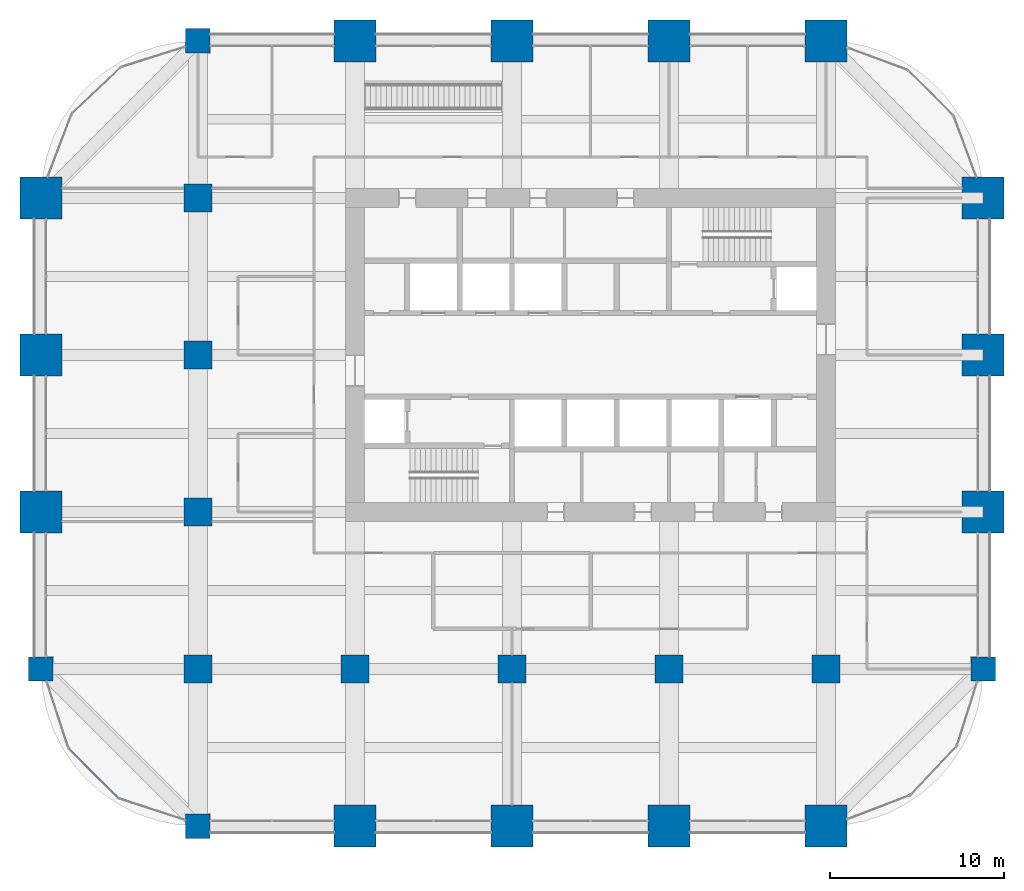
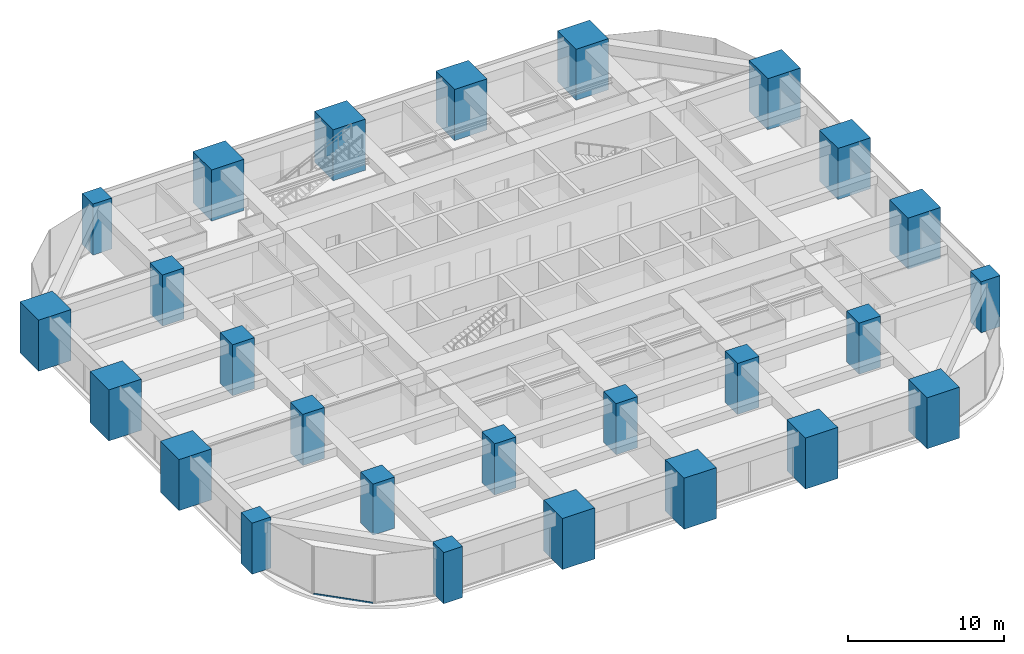
# One storey, part 1 of 33: 26 columns, 1 member, 1 element without a shape of its own.
"""IFC4 building model written with IfcOpenShell, lengths in metres."""

from ifc_helpers import new_model, si_unit, direction, frame, origin, origin_2d, place, context, subcontext, project, spatial, rectangle, hollow_rectangle, extrude, material, material_profile, profile_set, type_object, element, aggregate, save


model = new_model("IFC4")

# Units and contexts
model_context = context("Model", 3, precision=1e-05, world=origin(), true_north=direction((0.0, 1.0)))
body_context = subcontext(model_context, "Body", "Model", "MODEL_VIEW")
ifc_project = project(units=[si_unit("LENGTHUNIT", "METRE"), si_unit("AREAUNIT", "SQUARE_METRE"), si_unit("VOLUMEUNIT", "CUBIC_METRE"), si_unit("PLANEANGLEUNIT", "RADIAN"), si_unit("MASSUNIT", "GRAM", prefix="KILO")], contexts=[model_context])

# Site, building, storey
site_placement = place(None, origin())
site = spatial("IfcSite", under=ifc_project, at=site_placement, CompositionType="ELEMENT")
building_placement = place(site_placement, origin())
building = spatial("IfcBuilding", under=site, at=building_placement, Name="Zorevar Civic Tower", CompositionType="ELEMENT")
storey_placement = place(building_placement, frame((0.0, 0.0, 194.199951171875)))
storey = spatial("IfcBuildingStorey", under=building, at=storey_placement, Name="L47", CompositionType="ELEMENT", Elevation=194.199951171875)

# Columns
ifc_material_1 = material(Name="Concrete C50/60", Category="concrete")
ifc_material_profile_1 = material_profile(ifc_material_1, rectangle(XDim=1.39990234375, YDim=1.39990234375, at=origin_2d()), Name="RC 1400x1400")
ifc_profile_set_1 = profile_set([ifc_material_profile_1], Name="Concrete C50/60")
column_type_1 = type_object("IfcColumnType", Name="Column RC 1400x1400", PredefinedType="COLUMN", material=ifc_profile_set_1)
for number, where, z_axis, x_axis, name in (
    (1, (0.0, 9.0, 0.0), (0.0, 0.0, 1.0), (1.0, 0.0, 0.0), "Column 2B L47"),
    (2, (9.0, 0.0, 0.0), (0.0, 0.0, 1.0), (1.0, 0.0, 0.0), "Column 3A L47"),
    (3, (9.0, 45.0, 0.0), (0.0, 0.0, 1.0), (1.0, 0.0, 0.0), "Column 3F L47"),
    (4, (54.0, 9.0, 0.0), (0.0, 0.0, 1.0), (1.0, 0.0, 0.0), "Column 8B L47"),
):
    element("IfcColumn", number, at=place(storey_placement, frame(where, z_axis=z_axis, x_axis=x_axis)), inside=storey, type_object=column_type_1, Name=name, PredefinedType="COLUMN", context=body_context, shape_type="SweptSolid", body=[
        extrude(rectangle(XDim=1.39990234375, YDim=1.39990234375, at=origin_2d()), origin(), (0.0, 0.0, 1.0), 4.0),
    ])
ifc_material_2 = material(Name="Concrete C50/60", Category="concrete")
ifc_material_profile_2 = material_profile(ifc_material_2, rectangle(XDim=1.60009765625, YDim=1.60009765625, at=origin_2d()), Name="RC 1600x1600")
ifc_profile_set_2 = profile_set([ifc_material_profile_2], Name="Concrete C50/60")
column_type_2 = type_object("IfcColumnType", Name="Column RC 1600x1600", PredefinedType="COLUMN", material=ifc_profile_set_2)
for number, where, z_axis, x_axis, name in (
    (5, (9.0, 9.0, 0.0), (0.0, 0.0, 1.0), (1.0, 0.0, 0.0), "Column 3B L47"),
    (6, (9.0, 18.0, 0.0), (0.0, 0.0, 1.0), (1.0, 0.0, 0.0), "Column 3C L47"),
    (7, (9.0, 27.0, 0.0), (0.0, 0.0, 1.0), (1.0, 0.0, 0.0), "Column 3D L47"),
    (8, (9.0, 36.0, 0.0), (0.0, 0.0, 1.0), (1.0, 0.0, 0.0), "Column 3E L47"),
    (9, (18.0, 9.0, 0.0), (0.0, 0.0, 1.0), (1.0, 0.0, 0.0), "Column 4B L47"),
    (10, (27.0, 9.0, 0.0), (0.0, 0.0, 1.0), (1.0, 0.0, 0.0), "Column 5B L47"),
    (11, (36.0, 9.0, 0.0), (0.0, 0.0, 1.0), (1.0, 0.0, 0.0), "Column 6B L47"),
    (12, (45.0, 9.0, 0.0), (0.0, 0.0, 1.0), (1.0, 0.0, 0.0), "Column 7B L47"),
):
    element("IfcColumn", number, at=place(storey_placement, frame(where, z_axis=z_axis, x_axis=x_axis)), inside=storey, type_object=column_type_2, Name=name, PredefinedType="COLUMN", context=body_context, shape_type="SweptSolid", body=[
        extrude(rectangle(XDim=1.60009765625, YDim=1.60009765625, at=origin_2d()), origin(), (0.0, 0.0, 1.0), 4.0),
    ])
ifc_material_3 = material(Name="Concrete C50/60", Category="concrete")
ifc_material_profile_3 = material_profile(ifc_material_3, rectangle(XDim=2.39990234375, YDim=2.39990234375, at=origin_2d()), Name="RC 2400x2400")
ifc_profile_set_3 = profile_set([ifc_material_profile_3], Name="Concrete C50/60")
column_type_3 = type_object("IfcColumnType", Name="Mega column RC 2400x2400", PredefinedType="COLUMN", material=ifc_profile_set_3)
for number, where, z_axis, x_axis, name in (
    (13, (0.0, 18.0, 0.0), (0.0, 0.0, 1.0), (1.0, 0.0, 0.0), "Column 2C L47"),
    (14, (0.0, 27.0, 0.0), (0.0, 0.0, 1.0), (1.0, 0.0, 0.0), "Column 2D L47"),
    (15, (0.0, 36.0, 0.0), (0.0, 0.0, 1.0), (1.0, 0.0, 0.0), "Column 2E L47"),
    (16, (18.0, 0.0, 0.0), (0.0, 0.0, 1.0), (1.0, 0.0, 0.0), "Column 4A L47"),
    (17, (18.0, 45.0, 0.0), (0.0, 0.0, 1.0), (1.0, 0.0, 0.0), "Column 4F L47"),
    (18, (27.0, 0.0, 0.0), (0.0, 0.0, 1.0), (1.0, 0.0, 0.0), "Column 5A L47"),
    (19, (27.0, 45.0, 0.0), (0.0, 0.0, 1.0), (1.0, 0.0, 0.0), "Column 5F L47"),
    (20, (36.0, 0.0, 0.0), (0.0, 0.0, 1.0), (1.0, 0.0, 0.0), "Column 6A L47"),
    (21, (36.0, 45.0, 0.0), (0.0, 0.0, 1.0), (1.0, 0.0, 0.0), "Column 6F L47"),
    (22, (45.0, 0.0, 0.0), (0.0, 0.0, 1.0), (1.0, 0.0, 0.0), "Column 7A L47"),
    (23, (45.0, 45.0, 0.0), (0.0, 0.0, 1.0), (1.0, 0.0, 0.0), "Column 7F L47"),
    (24, (54.0, 18.0, 0.0), (0.0, 0.0, 1.0), (1.0, 0.0, 0.0), "Column 8C L47"),
    (25, (54.0, 27.0, 0.0), (0.0, 0.0, 1.0), (1.0, 0.0, 0.0), "Column 8D L47"),
    (26, (54.0, 36.0, 0.0), (0.0, 0.0, 1.0), (1.0, 0.0, 0.0), "Column 8E L47"),
):
    element("IfcColumn", number, at=place(storey_placement, frame(where, z_axis=z_axis, x_axis=x_axis)), inside=storey, type_object=column_type_3, Name=name, PredefinedType="COLUMN", context=body_context, shape_type="SweptSolid", body=[
        extrude(rectangle(XDim=2.39990234375, YDim=2.39990234375, at=origin_2d()), origin(), (0.0, 0.0, 1.0), 4.0),
    ])

# Curtain wall, member
ifc_material_4 = material(Name="Dark grey solar-control glass in black aluminium frame", Category="aluminium")
curtain_wall_type = type_object("IfcCurtainWallType", Name="Curtain wall CW4 high zone", PredefinedType="NOTDEFINED", material=ifc_material_4)
curtain_wall_placement = place(storey_placement, origin())
curtain_wall = element("IfcCurtainWall", 27, at=curtain_wall_placement, inside=storey, type_object=curtain_wall_type, Name="CW4 L47", PredefinedType="NOTDEFINED")
ifc_material_5 = material(Name="Aluminium, black anodised", Category="aluminium")
ifc_material_profile_4 = material_profile(ifc_material_5, hollow_rectangle(XDim=0.06005859375, YDim=0.1201171875, WallThickness=0.0029296875, at=origin_2d()), Name="AL 120x60x3")
ifc_profile_set_4 = profile_set([ifc_material_profile_4], Name="Aluminium, black anodised")
member_type = type_object("IfcMemberType", Name="CW4 transom AL 120x60x3", PredefinedType="USERDEFINED", material=ifc_profile_set_4)
member_placement = place(storey_placement, frame((1.62744140625, 4.406982421875, 0.030029296875), z_axis=(0.707106781187, -0.707106781187, 0.0), x_axis=(0.707106781187, 0.707106781187, 0.0)))
member = element("IfcMember", 28, at=member_placement, type_object=member_type, Name="CW4 sill transom", ObjectType="TRANSOM", PredefinedType="USERDEFINED", context=body_context, shape_type="SweptSolid", body=[
    extrude(hollow_rectangle(XDim=0.06005859375, YDim=0.1201171875, WallThickness=0.0029296875, at=origin_2d()), origin(), (0.0, 0.0, 1.0), 3.930908203125),
])
aggregate(curtain_wall, [member])

save(model, "model.ifc")
